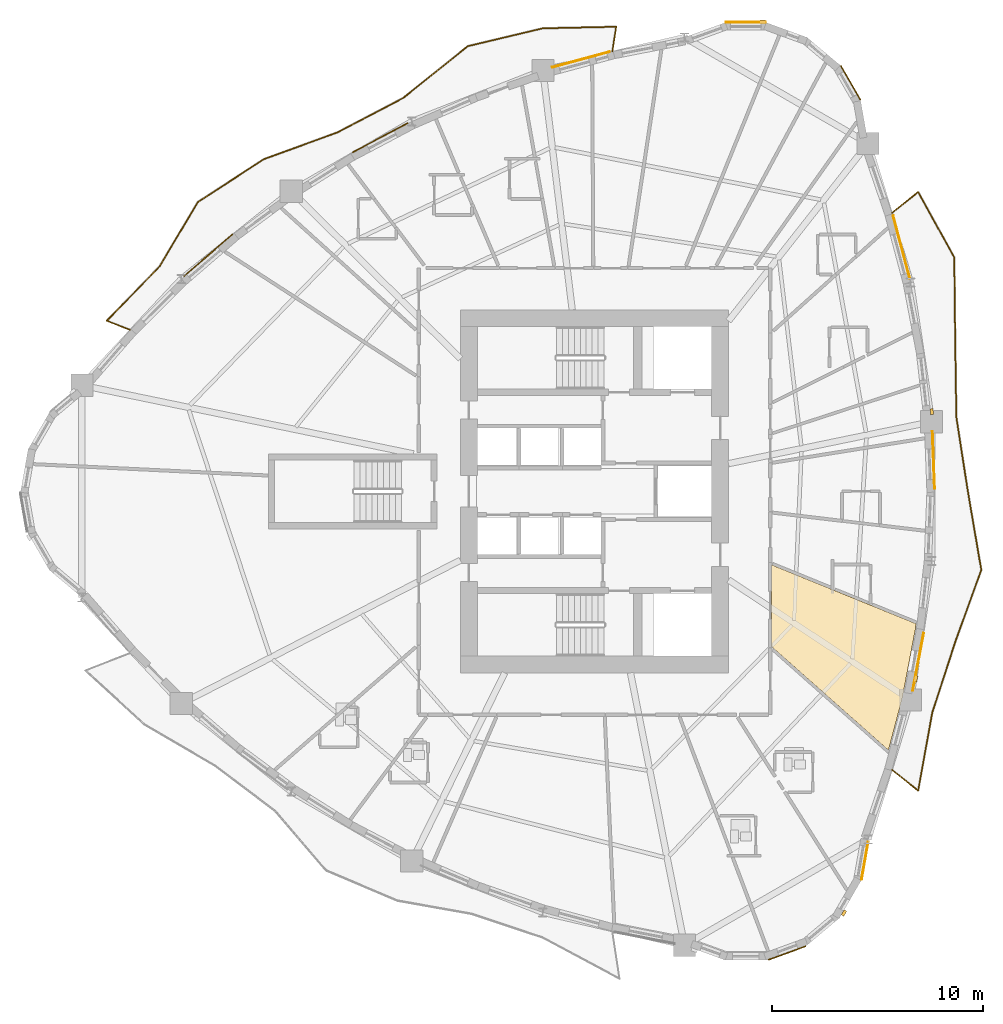
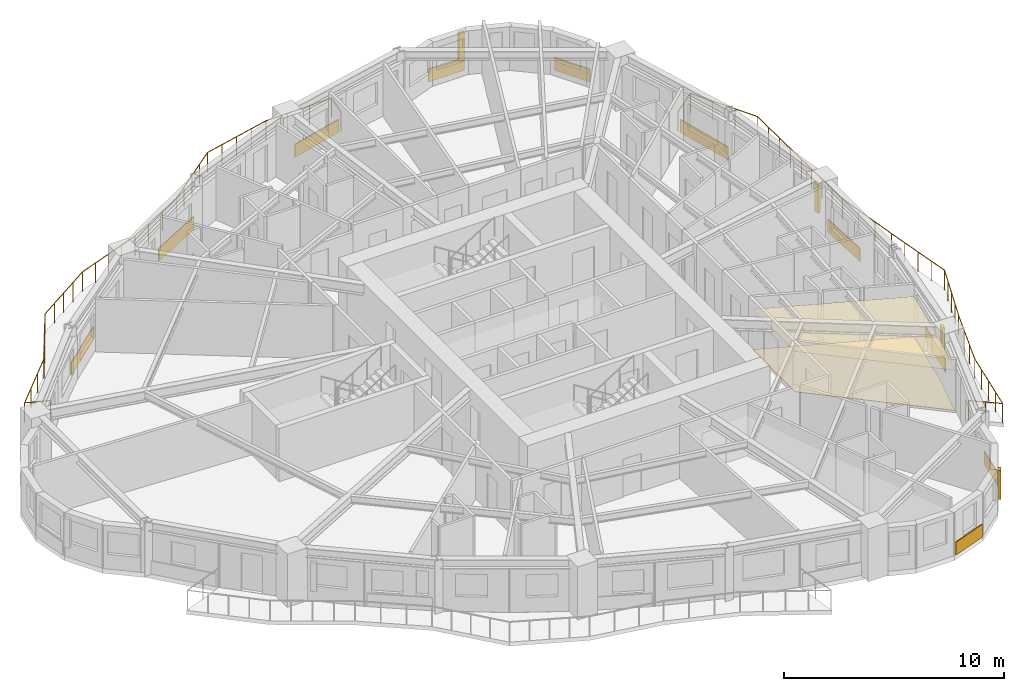
# One storey, part 13 of 14: 12 coverings, 4 shading devices, 2 railings.
"""IFC4 building model written with IfcOpenShell, lengths in metres."""

from ifc_helpers import new_model, si_unit, direction, frame, origin, origin_2d, place, context, subcontext, project, spatial, polyline, rectangle, circle, outline, extrude, source, transform, mapped, material, layer, layer_set, type_object, element, save


model = new_model("IFC4")

# Units and contexts
model_context = context("Model", 3, precision=1e-05, world=origin(), true_north=direction((0.0, 1.0)))
body_context = subcontext(model_context, "Body", "Model", "MODEL_VIEW")
ifc_project = project(units=[si_unit("LENGTHUNIT", "METRE"), si_unit("AREAUNIT", "SQUARE_METRE"), si_unit("VOLUMEUNIT", "CUBIC_METRE"), si_unit("PLANEANGLEUNIT", "RADIAN"), si_unit("MASSUNIT", "GRAM", prefix="KILO")], contexts=[model_context])

# Site, building, storey
site_placement = place(None, origin())
site = spatial("IfcSite", under=ifc_project, at=site_placement, CompositionType="ELEMENT")
building_placement = place(site_placement, origin())
building = spatial("IfcBuilding", under=site, at=building_placement, Name="Qafzar Sky-Pleat Residences", CompositionType="ELEMENT")
storey_placement = place(building_placement, frame((0.0, 0.0, 43.0)))
storey = spatial("IfcBuildingStorey", under=building, at=storey_placement, Name="L12", CompositionType="ELEMENT", Elevation=43.0)

# Coverings
ifc_material_1 = material(Name="Perforated acoustic gypsum board ceiling")
ifc_layer_1 = layer(ifc_material_1, 0.02001953125)
ifc_layer_set_1 = layer_set([ifc_layer_1], Name="Perforated acoustic gypsum board ceiling")
covering_type_1 = type_object("IfcCoveringType", Name="COV-CEIL-ACOUSTIC", PredefinedType="CEILING", material=ifc_layer_set_1)
covering_1_placement = place(storey_placement, frame((0.0, 0.0, 2.239990234375)))
element("IfcCovering", 1, at=covering_1_placement, inside=storey, type_object=covering_type_1, Name="L12 Communal Kitchen Acoustic Ceiling", PredefinedType="CEILING", context=body_context, shape_type="SweptSolid", body=[
    extrude(outline(polyline([(45.552734375, 19.46630859375), (44.931884765625, 16.197998046875), (44.277099609375, 13.736083984375), (38.739990234375, 18.643798828125), (38.739990234375, 22.517578125), (45.582763671875, 19.72998046875), (45.552734375, 19.46630859375)])), origin(), (0.0, 0.0, 1.0), 0.02001953125),
])
ifc_material_2 = material(Name="Honed porcelain and Riyadh stone tile flooring", Category="masonry")
ifc_layer_2 = layer(ifc_material_2, 0.02001953125)
ifc_layer_set_2 = layer_set([ifc_layer_2], Name="Honed porcelain and Riyadh stone tile flooring")
covering_type_2 = type_object("IfcCoveringType", Name="COV-FLR-PORCELAIN", PredefinedType="FLOORING", material=ifc_layer_set_2)
covering_2_placement = place(storey_placement, origin())
element("IfcCovering", 2, at=covering_2_placement, inside=storey, type_object=covering_type_2, Name="L12 Communal Kitchen Honed Stone Flooring", PredefinedType="FLOORING", context=body_context, shape_type="SweptSolid", body=[
    extrude(outline(polyline([(45.552734375, 19.46630859375), (44.931884765625, 16.197998046875), (44.277099609375, 13.736083984375), (38.739990234375, 18.643798828125), (38.739990234375, 22.517578125), (45.582763671875, 19.72998046875), (45.552734375, 19.46630859375)])), origin(), (0.0, 0.0, 1.0), 0.02001953125),
])

# Shading devices
ifc_material_3 = material(Name="Honed Riyadh limestone solar fin", Category="masonry")
ifc_layer_3 = layer(ifc_material_3, 0.139892578125)
ifc_layer_set_3 = layer_set([ifc_layer_3], Name="Honed Riyadh limestone solar fin")
shading_device_type = type_object("IfcShadingDeviceType", Name="SHD-FIN-STONE", PredefinedType="SHUTTER", material=ifc_layer_set_3)
shared_shape_1 = source(origin(), body_context, "Body", "SweptSolid", [
    extrude(rectangle(XDim=0.139892578125, YDim=0.280029296875, at=origin_2d()), origin(), (0.0, 0.0, 1.0), 1.60009765625),
])
for number, where, z_axis, x_axis, name in (
    (3, (42.171142578125, 6.02197265625, 0.599853515625), (0.0, 0.0, 1.0), (0.86604422228, -0.499967403994, 0.0), "L12 Limestone Solar Fin 21"),
    (4, (45.57958984375, 17.11572265625, 0.599853515625), (0.0, 0.0, 1.0), (0.982426090946, -0.186652018013, 0.0), "L12 Limestone Solar Fin 25"),
    (5, (46.33544921875, 29.773681640625, 0.599853515625), (0.0, 0.0, 1.0), (0.993566238116, 0.113252507596, 0.0), "L12 Limestone Solar Fin 29"),
    (6, (38.322509765625, 48.26171875, 0.599853515625), (0.0, 0.0, 1.0), (0.0, 1.0, 0.0), "L12 Limestone Solar Fin 37"),
):
    element("IfcShadingDevice", number, at=place(storey_placement, frame(where, z_axis=z_axis, x_axis=x_axis)), inside=storey, type_object=shading_device_type, Name=name, PredefinedType="SHUTTER", context=body_context, shape_type="MappedRepresentation", body=[
        mapped(shared_shape_1, transform((0.0, 0.0, 0.0), x_axis=(1.0, 0.0, 0.0), y_axis=(0.0, 1.0, 0.0), z_axis=(0.0, 0.0, 1.0), scale=1.0)),
    ])

# Coverings
ifc_material_4 = material(Name="Honed Riyadh Tuwaiq limestone cladding", Category="masonry")
ifc_layer_4 = layer(ifc_material_4, 0.044921875)
ifc_layer_set_4 = layer_set([ifc_layer_4], Name="Honed Riyadh Tuwaiq limestone cladding")
covering_type_3 = type_object("IfcCoveringType", Name="COV-CLAD-STONE", PredefinedType="CLADDING", material=ifc_layer_set_4)
shared_shape_2 = source(origin(), body_context, "Body", "SweptSolid", [
    extrude(rectangle(XDim=1.88134765625, YDim=0.044921875, at=origin_2d()), origin(), (0.0, 0.0, 1.0), 0.719970703125),
])
for number, where, z_axis, x_axis, name in (
    (7, (39.478515625, 4.127197265625, 0.02001953125), (0.0, 0.0, 1.0), (0.939678833387, 0.342058021518, 0.0), "L12 Riyadh Limestone Spandrel Cladding 19"),
    (8, (42.483154296875, 45.351806640625, 0.02001953125), (0.0, 0.0, 1.0), (-0.499972303345, 0.866041393865, 0.0), "L12 Riyadh Limestone Spandrel Cladding 34"),
    (9, (37.517578125, 48.21875, 0.02001953125), (0.0, 0.0, 1.0), (-1.0, 0.0, 0.0), "L12 Riyadh Limestone Spandrel Cladding 37"),
):
    element("IfcCovering", number, at=place(storey_placement, frame(where, z_axis=z_axis, x_axis=x_axis)), inside=storey, type_object=covering_type_3, Name=name, PredefinedType="CLADDING", context=body_context, shape_type="MappedRepresentation", body=[
        mapped(shared_shape_2, transform((0.0, 0.0, 0.0), x_axis=(1.0, 0.0, 0.0), y_axis=(0.0, 1.0, 0.0), z_axis=(0.0, 0.0, 1.0), scale=1.0)),
    ])
shared_shape_3 = source(origin(), body_context, "Body", "SweptSolid", [
    extrude(rectangle(XDim=1.8291015625, YDim=0.044921875, at=origin_2d()), origin(), (0.0, 0.0, 1.0), 0.719970703125),
])
covering_3_placement = place(storey_placement, frame((43.1591796875, 8.490966796875, 0.02001953125), z_axis=(0.0, 0.0, 1.0), x_axis=(0.17364778674, 0.984807821943, 0.0)))
element("IfcCovering", 10, at=covering_3_placement, inside=storey, type_object=covering_type_3, Name="L12 Riyadh Limestone Spandrel Cladding 22", PredefinedType="CLADDING", context=body_context, shape_type="MappedRepresentation", body=[
    mapped(shared_shape_3, transform((0.0, 0.0, 0.0), x_axis=(1.0, 0.0, 0.0), y_axis=(0.0, 1.0, 0.0), z_axis=(0.0, 0.0, 1.0), scale=1.0)),
])

# Railing
ifc_material_5 = material(Name="Laminated glass and bronze steel balustrade", Category="steel")
railing_type = type_object("IfcRailingType", Name="RAIL-BAL-1100", PredefinedType="BALUSTRADE", material=ifc_material_5)
shared_shape_4 = source(origin(), body_context, "Body", "SweptSolid", [
    extrude(circle(Radius=0.02392578125, at=origin_2d()), frame((0.0, 0.0, 1.076171875), z_axis=(0.151917016877, 0.988393251688, 0.0), x_axis=(-0.988393251688, 0.151917016877, 0.0)), (0.0, 0.0, 1.0), 1.177978515625),
    extrude(circle(Radius=0.02392578125, at=origin_2d()), frame((0.178955078125, 1.164306640625, 1.076171875), z_axis=(-0.99976715239, -0.021578716394, 0.0), x_axis=(0.021578716394, -0.99976715239, 0.0)), (0.0, 0.0, 1.0), 3.484619140625),
    extrude(circle(Radius=0.02392578125, at=origin_2d()), frame((-3.304931640625, 1.089111328125, 1.076171875), z_axis=(-0.972696245734, -0.232081911263, 0.0), x_axis=(0.232081911263, -0.972696245734, 0.0)), (0.0, 0.0, 1.0), 3.648193359375),
    extrude(circle(Radius=0.02392578125, at=origin_2d()), frame((-6.853515625, 0.242431640625, 1.076171875), z_axis=(-0.779956316978, -0.625833958495, 0.0), x_axis=(0.625833958495, -0.779956316978, 0.0)), (0.0, 0.0, 1.0), 3.9189453125),
    extrude(circle(Radius=0.02392578125, at=origin_2d()), frame((-9.91015625, -2.210205078125, 1.076171875), z_axis=(-0.88581111763, -0.464045971734, 0.0), x_axis=(0.464045971734, -0.88581111763, 0.0)), (0.0, 0.0, 1.0), 3.5107421875),
    extrude(circle(Radius=0.02392578125, at=origin_2d()), frame((-13.02001953125, -3.83935546875, 1.076171875), z_axis=(-0.939699130778, -0.342002256739, 0.0), x_axis=(0.342002256739, -0.939699130778, 0.0)), (0.0, 0.0, 1.0), 3.70556640625),
    extrude(circle(Radius=0.02392578125, at=origin_2d()), frame((-16.502197265625, -5.106689453125, 1.076171875), z_axis=(-0.839207102397, -0.543811952137, 0.0), x_axis=(0.543811952137, -0.839207102397, 0.0)), (0.0, 0.0, 1.0), 3.736572265625),
    extrude(circle(Radius=0.02392578125, at=origin_2d()), frame((-19.637939453125, -7.138671875, 1.076171875), z_axis=(-0.511359412882, -0.859366947734, 0.0), x_axis=(0.859366947734, -0.511359412882, 0.0)), (0.0, 0.0, 1.0), 3.552490234375),
    extrude(circle(Radius=0.02392578125, at=origin_2d()), frame((-21.45458984375, -10.191650390625, 1.076171875), z_axis=(-0.696103334982, -0.71794160419, 0.0), x_axis=(0.71794160419, -0.696103334982, 0.0)), (0.0, 0.0, 1.0), 3.588623046875),
    extrude(circle(Radius=0.02392578125, at=origin_2d()), frame((-23.95263671875, -12.76806640625, 1.076171875), z_axis=(0.931895714322, -0.362726312292, 0.0), x_axis=(0.362726312292, 0.931895714322, 0.0)), (0.0, 0.0, 1.0), 1.177978515625),
    extrude(circle(Radius=0.02099609375, at=origin_2d()), origin(), (0.0, 0.0, 1.0), 1.052001953125),
    extrude(circle(Radius=0.02099609375, at=origin_2d()), frame((0.178955078125, 1.164306640625, 0.0)), (0.0, 0.0, 1.0), 1.052001953125),
    extrude(circle(Radius=0.02099609375, at=origin_2d()), frame((-0.982421875, 1.13916015625, 0.0)), (0.0, 0.0, 1.0), 1.052001953125),
    extrude(circle(Radius=0.02099609375, at=origin_2d()), frame((-2.1435546875, 1.1142578125, 0.0)), (0.0, 0.0, 1.0), 1.052001953125),
    extrude(circle(Radius=0.02099609375, at=origin_2d()), frame((-3.304931640625, 1.089111328125, 0.0)), (0.0, 0.0, 1.0), 1.052001953125),
    extrude(circle(Radius=0.02099609375, at=origin_2d()), frame((-4.192138671875, 0.87744140625, 0.0)), (0.0, 0.0, 1.0), 1.052001953125),
    extrude(circle(Radius=0.02099609375, at=origin_2d()), frame((-5.0791015625, 0.665771484375, 0.0)), (0.0, 0.0, 1.0), 1.052001953125),
    extrude(circle(Radius=0.02099609375, at=origin_2d()), frame((-5.96630859375, 0.4541015625, 0.0)), (0.0, 0.0, 1.0), 1.052001953125),
    extrude(circle(Radius=0.02099609375, at=origin_2d()), frame((-6.853515625, 0.242431640625, 0.0)), (0.0, 0.0, 1.0), 1.052001953125),
    extrude(circle(Radius=0.02099609375, at=origin_2d()), frame((-7.61767578125, -0.37060546875, 0.0)), (0.0, 0.0, 1.0), 1.052001953125),
    extrude(circle(Radius=0.02099609375, at=origin_2d()), frame((-8.3818359375, -0.98388671875, 0.0)), (0.0, 0.0, 1.0), 1.052001953125),
    extrude(circle(Radius=0.02099609375, at=origin_2d()), frame((-9.14599609375, -1.59716796875, 0.0)), (0.0, 0.0, 1.0), 1.052001953125),
    extrude(circle(Radius=0.02099609375, at=origin_2d()), frame((-9.91015625, -2.210205078125, 0.0)), (0.0, 0.0, 1.0), 1.052001953125),
    extrude(circle(Radius=0.02099609375, at=origin_2d()), frame((-10.94677734375, -2.753173828125, 0.0)), (0.0, 0.0, 1.0), 1.052001953125),
    extrude(circle(Radius=0.02099609375, at=origin_2d()), frame((-11.9833984375, -3.29638671875, 0.0)), (0.0, 0.0, 1.0), 1.052001953125),
    extrude(circle(Radius=0.02099609375, at=origin_2d()), frame((-13.02001953125, -3.83935546875, 0.0)), (0.0, 0.0, 1.0), 1.052001953125),
    extrude(circle(Radius=0.02099609375, at=origin_2d()), frame((-13.890625, -4.15625, 0.0)), (0.0, 0.0, 1.0), 1.052001953125),
    extrude(circle(Radius=0.02099609375, at=origin_2d()), frame((-14.76123046875, -4.47314453125, 0.0)), (0.0, 0.0, 1.0), 1.052001953125),
    extrude(circle(Radius=0.02099609375, at=origin_2d()), frame((-15.631591796875, -4.789794921875, 0.0)), (0.0, 0.0, 1.0), 1.052001953125),
    extrude(circle(Radius=0.02099609375, at=origin_2d()), frame((-16.502197265625, -5.106689453125, 0.0)), (0.0, 0.0, 1.0), 1.052001953125),
    extrude(circle(Radius=0.02099609375, at=origin_2d()), frame((-17.2861328125, -5.61474609375, 0.0)), (0.0, 0.0, 1.0), 1.052001953125),
    extrude(circle(Radius=0.02099609375, at=origin_2d()), frame((-18.070068359375, -6.12255859375, 0.0)), (0.0, 0.0, 1.0), 1.052001953125),
    extrude(circle(Radius=0.02099609375, at=origin_2d()), frame((-18.85400390625, -6.630615234375, 0.0)), (0.0, 0.0, 1.0), 1.052001953125),
    extrude(circle(Radius=0.02099609375, at=origin_2d()), frame((-19.637939453125, -7.138671875, 0.0)), (0.0, 0.0, 1.0), 1.052001953125),
    extrude(circle(Radius=0.02099609375, at=origin_2d()), frame((-20.243408203125, -8.15625, 0.0)), (0.0, 0.0, 1.0), 1.052001953125),
    extrude(circle(Radius=0.02099609375, at=origin_2d()), frame((-20.84912109375, -9.174072265625, 0.0)), (0.0, 0.0, 1.0), 1.052001953125),
    extrude(circle(Radius=0.02099609375, at=origin_2d()), frame((-21.45458984375, -10.191650390625, 0.0)), (0.0, 0.0, 1.0), 1.052001953125),
    extrude(circle(Radius=0.02099609375, at=origin_2d()), frame((-22.287353515625, -11.050537109375, 0.0)), (0.0, 0.0, 1.0), 1.052001953125),
    extrude(circle(Radius=0.02099609375, at=origin_2d()), frame((-23.119873046875, -11.9091796875, 0.0)), (0.0, 0.0, 1.0), 1.052001953125),
    extrude(circle(Radius=0.02099609375, at=origin_2d()), frame((-23.95263671875, -12.76806640625, 0.0)), (0.0, 0.0, 1.0), 1.052001953125),
    extrude(circle(Radius=0.02099609375, at=origin_2d()), frame((-22.85498046875, -13.1953125, 0.0)), (0.0, 0.0, 1.0), 1.052001953125),
])
railing_1_placement = place(storey_placement, frame((31.2001953125, 46.84765625, 0.0)))
element("IfcRailing", 11, at=railing_1_placement, inside=storey, type_object=railing_type, Name="L12 Pleated Balcony 2 Balustrade", PredefinedType="BALUSTRADE", context=body_context, shape_type="MappedRepresentation", body=[
    mapped(shared_shape_4, transform((0.0, 0.0, 0.0), x_axis=(1.0, 0.0, 0.0), y_axis=(0.0, 1.0, 0.0), z_axis=(0.0, 0.0, 1.0), scale=1.0)),
])

# Coverings
shared_shape_5 = source(origin(), body_context, "Body", "SweptSolid", [
    extrude(rectangle(XDim=2.78466796875, YDim=0.044921875, at=origin_2d()), origin(), (0.0, 0.0, 1.0), 0.719970703125),
])
covering_4_placement = place(storey_placement, frame((45.6884765625, 17.91943359375, 0.02001953125), z_axis=(0.0, 0.0, 1.0), x_axis=(0.186653159083, 0.982425874153, 0.0)))
element("IfcCovering", 12, at=covering_4_placement, inside=storey, type_object=covering_type_3, Name="L12 Riyadh Limestone Spandrel Cladding 25", PredefinedType="CLADDING", context=body_context, shape_type="MappedRepresentation", body=[
    mapped(shared_shape_5, transform((0.0, 0.0, 0.0), x_axis=(1.0, 0.0, 0.0), y_axis=(0.0, 1.0, 0.0), z_axis=(0.0, 0.0, 1.0), scale=1.0)),
])
shared_shape_6 = source(origin(), body_context, "Body", "SweptSolid", [
    extrude(rectangle(XDim=2.733642578125, YDim=0.044921875, at=origin_2d()), origin(), (0.0, 0.0, 1.0), 0.719970703125),
])
covering_5_placement = place(storey_placement, frame((46.415283203125, 27.48046875, 0.02001953125), z_axis=(0.0, 0.0, 1.0), x_axis=(-0.037993107975, 0.999278001232, 0.0)))
element("IfcCovering", 13, at=covering_5_placement, inside=storey, type_object=covering_type_3, Name="L12 Riyadh Limestone Spandrel Cladding 28", PredefinedType="CLADDING", context=body_context, shape_type="MappedRepresentation", body=[
    mapped(shared_shape_6, transform((0.0, 0.0, 0.0), x_axis=(1.0, 0.0, 0.0), y_axis=(0.0, 1.0, 0.0), z_axis=(0.0, 0.0, 1.0), scale=1.0)),
])
shared_shape_7 = source(origin(), body_context, "Body", "SweptSolid", [
    extrude(rectangle(XDim=3.086669921875, YDim=0.044921875, at=origin_2d()), origin(), (0.0, 0.0, 1.0), 0.719970703125),
])
covering_6_placement = place(storey_placement, frame((44.8974609375, 37.572998046875, 0.02001953125), z_axis=(0.0, 0.0, 1.0), x_axis=(-0.257060075079, 0.966395425176, 0.0)))
element("IfcCovering", 14, at=covering_6_placement, inside=storey, type_object=covering_type_3, Name="L12 Riyadh Limestone Spandrel Cladding 31", PredefinedType="CLADDING", context=body_context, shape_type="MappedRepresentation", body=[
    mapped(shared_shape_7, transform((0.0, 0.0, 0.0), x_axis=(1.0, 0.0, 0.0), y_axis=(0.0, 1.0, 0.0), z_axis=(0.0, 0.0, 1.0), scale=1.0)),
])
shared_shape_8 = source(origin(), body_context, "Body", "SweptSolid", [
    extrude(rectangle(XDim=2.834716796875, YDim=0.044921875, at=origin_2d()), origin(), (0.0, 0.0, 1.0), 0.719970703125),
])
covering_7_placement = place(storey_placement, frame((29.708984375, 46.45654296875, 0.02001953125), z_axis=(0.0, 0.0, 1.0), x_axis=(-0.965456482184, -0.260564350993, 0.0)))
element("IfcCovering", 15, at=covering_7_placement, inside=storey, type_object=covering_type_3, Name="L12 Riyadh Limestone Spandrel Cladding 40", PredefinedType="CLADDING", context=body_context, shape_type="MappedRepresentation", body=[
    mapped(shared_shape_8, transform((0.0, 0.0, 0.0), x_axis=(1.0, 0.0, 0.0), y_axis=(0.0, 1.0, 0.0), z_axis=(0.0, 0.0, 1.0), scale=1.0)),
])
shared_shape_9 = source(origin(), body_context, "Body", "SweptSolid", [
    extrude(rectangle(XDim=2.985595703125, YDim=0.044921875, at=origin_2d()), origin(), (0.0, 0.0, 1.0), 0.719970703125),
])
covering_8_placement = place(storey_placement, frame((20.1982421875, 42.753662109375, 0.02001953125), z_axis=(0.0, 0.0, 1.0), x_axis=(-0.884384061538, -0.466759929404, 0.0)))
element("IfcCovering", 16, at=covering_8_placement, inside=storey, type_object=covering_type_3, Name="L12 Riyadh Limestone Spandrel Cladding 43", PredefinedType="CLADDING", context=body_context, shape_type="MappedRepresentation", body=[
    mapped(shared_shape_9, transform((0.0, 0.0, 0.0), x_axis=(1.0, 0.0, 0.0), y_axis=(0.0, 1.0, 0.0), z_axis=(0.0, 0.0, 1.0), scale=1.0)),
])
shared_shape_10 = source(origin(), body_context, "Body", "SweptSolid", [
    extrude(rectangle(XDim=3.03662109375, YDim=0.044921875, at=origin_2d()), origin(), (0.0, 0.0, 1.0), 0.719970703125),
])
covering_9_placement = place(storey_placement, frame((12.0517578125, 37.18701171875, 0.02001953125), z_axis=(0.0, 0.0, 1.0), x_axis=(-0.757481729297, -0.652856362289, 0.0)))
element("IfcCovering", 17, at=covering_9_placement, inside=storey, type_object=covering_type_3, Name="L12 Riyadh Limestone Spandrel Cladding 46", PredefinedType="CLADDING", context=body_context, shape_type="MappedRepresentation", body=[
    mapped(shared_shape_10, transform((0.0, 0.0, 0.0), x_axis=(1.0, 0.0, 0.0), y_axis=(0.0, 1.0, 0.0), z_axis=(0.0, 0.0, 1.0), scale=1.0)),
])

# Railing
shared_shape_11 = source(origin(), body_context, "Body", "SweptSolid", [
    extrude(circle(Radius=0.02392578125, at=origin_2d()), frame((0.0, 0.0, 1.076171875), z_axis=(0.780083287134, -0.625675686865, 0.0), x_axis=(0.625675686865, 0.780083287134, 0.0)), (0.0, 0.0, 1.0), 1.577880859375),
    extrude(circle(Radius=0.02392578125, at=origin_2d()), frame((1.23095703125, -0.9873046875, 1.076171875), z_axis=(0.178085810184, 0.984014961376, 0.0), x_axis=(-0.984014961376, 0.178085810184, 0.0)), (0.0, 0.0, 1.0), 3.76171875),
    extrude(circle(Radius=0.02392578125, at=origin_2d()), frame((1.90087890625, 2.71435546875, 1.076171875), z_axis=(0.30916783486, 0.951007492025, 0.0), x_axis=(-0.951007492025, 0.30916783486, 0.0)), (0.0, 0.0, 1.0), 3.510986328125),
    extrude(circle(Radius=0.02392578125, at=origin_2d()), frame((2.986328125, 6.05322265625, 1.076171875), z_axis=(0.339624675378, 0.940561045267, 0.0), x_axis=(-0.940561045267, 0.339624675378, 0.0)), (0.0, 0.0, 1.0), 3.63818359375),
    extrude(circle(Radius=0.02392578125, at=origin_2d()), frame((4.221923828125, 9.47509765625, 1.076171875), z_axis=(-0.168760936197, 0.985657012563, 0.0), x_axis=(-0.985657012563, -0.168760936197, 0.0)), (0.0, 0.0, 1.0), 3.7744140625),
    extrude(circle(Radius=0.02392578125, at=origin_2d()), frame((3.5849609375, 13.1953125, 1.076171875), z_axis=(-0.153302592165, 0.988179293061, 0.0), x_axis=(-0.988179293061, -0.153302592165, 0.0)), (0.0, 0.0, 1.0), 3.5498046875),
    extrude(circle(Radius=0.02392578125, at=origin_2d()), frame((3.040771484375, 16.703125, 1.076171875), z_axis=(-0.014978837957, 0.999887810914, 0.0), x_axis=(-0.999887810914, -0.014978837957, 0.0)), (0.0, 0.0, 1.0), 3.634765625),
    extrude(circle(Radius=0.02392578125, at=origin_2d()), frame((2.986328125, 20.33740234375, 1.076171875), z_axis=(-0.010984256303, 0.999939671237, 0.0), x_axis=(-0.999939671237, -0.010984256303, 0.0)), (0.0, 0.0, 1.0), 3.93408203125),
    extrude(circle(Radius=0.02392578125, at=origin_2d()), frame((2.943115234375, 24.271240234375, 1.076171875), z_axis=(-0.482671554525, 0.875801444651, 0.0), x_axis=(-0.875801444651, -0.482671554525, 0.0)), (0.0, 0.0, 1.0), 3.54736328125),
    extrude(circle(Radius=0.02392578125, at=origin_2d()), frame((1.23095703125, 27.3779296875, 1.076171875), z_axis=(-0.780083287134, -0.625675686865, 0.0), x_axis=(0.625675686865, -0.780083287134, 0.0)), (0.0, 0.0, 1.0), 1.577880859375),
    extrude(circle(Radius=0.02099609375, at=origin_2d()), origin(), (0.0, 0.0, 1.0), 1.052001953125),
    extrude(circle(Radius=0.02099609375, at=origin_2d()), frame((0.615478515625, -0.49365234375, 0.0)), (0.0, 0.0, 1.0), 1.052001953125),
    extrude(circle(Radius=0.02099609375, at=origin_2d()), frame((1.23095703125, -0.9873046875, 0.0)), (0.0, 0.0, 1.0), 1.052001953125),
    extrude(circle(Radius=0.02099609375, at=origin_2d()), frame((1.3984375, -0.06201171875, 0.0)), (0.0, 0.0, 1.0), 1.052001953125),
    extrude(circle(Radius=0.02099609375, at=origin_2d()), frame((1.56591796875, 0.863525390625, 0.0)), (0.0, 0.0, 1.0), 1.052001953125),
    extrude(circle(Radius=0.02099609375, at=origin_2d()), frame((1.7333984375, 1.7890625, 0.0)), (0.0, 0.0, 1.0), 1.052001953125),
    extrude(circle(Radius=0.02099609375, at=origin_2d()), frame((1.90087890625, 2.71435546875, 0.0)), (0.0, 0.0, 1.0), 1.052001953125),
    extrude(circle(Radius=0.02099609375, at=origin_2d()), frame((2.2626953125, 3.827392578125, 0.0)), (0.0, 0.0, 1.0), 1.052001953125),
    extrude(circle(Radius=0.02099609375, at=origin_2d()), frame((2.62451171875, 4.940185546875, 0.0)), (0.0, 0.0, 1.0), 1.052001953125),
    extrude(circle(Radius=0.02099609375, at=origin_2d()), frame((2.986328125, 6.05322265625, 0.0)), (0.0, 0.0, 1.0), 1.052001953125),
    extrude(circle(Radius=0.02099609375, at=origin_2d()), frame((3.295166015625, 6.90869140625, 0.0)), (0.0, 0.0, 1.0), 1.052001953125),
    extrude(circle(Radius=0.02099609375, at=origin_2d()), frame((3.60400390625, 7.76416015625, 0.0)), (0.0, 0.0, 1.0), 1.052001953125),
    extrude(circle(Radius=0.02099609375, at=origin_2d()), frame((3.9130859375, 8.61962890625, 0.0)), (0.0, 0.0, 1.0), 1.052001953125),
    extrude(circle(Radius=0.02099609375, at=origin_2d()), frame((4.221923828125, 9.47509765625, 0.0)), (0.0, 0.0, 1.0), 1.052001953125),
    extrude(circle(Radius=0.02099609375, at=origin_2d()), frame((4.062744140625, 10.4052734375, 0.0)), (0.0, 0.0, 1.0), 1.052001953125),
    extrude(circle(Radius=0.02099609375, at=origin_2d()), frame((3.9033203125, 11.335205078125, 0.0)), (0.0, 0.0, 1.0), 1.052001953125),
    extrude(circle(Radius=0.02099609375, at=origin_2d()), frame((3.744140625, 12.26513671875, 0.0)), (0.0, 0.0, 1.0), 1.052001953125),
    extrude(circle(Radius=0.02099609375, at=origin_2d()), frame((3.5849609375, 13.1953125, 0.0)), (0.0, 0.0, 1.0), 1.052001953125),
    extrude(circle(Radius=0.02099609375, at=origin_2d()), frame((3.403564453125, 14.364501953125, 0.0)), (0.0, 0.0, 1.0), 1.052001953125),
    extrude(circle(Radius=0.02099609375, at=origin_2d()), frame((3.22216796875, 15.533935546875, 0.0)), (0.0, 0.0, 1.0), 1.052001953125),
    extrude(circle(Radius=0.02099609375, at=origin_2d()), frame((3.040771484375, 16.703125, 0.0)), (0.0, 0.0, 1.0), 1.052001953125),
    extrude(circle(Radius=0.02099609375, at=origin_2d()), frame((3.027099609375, 17.61181640625, 0.0)), (0.0, 0.0, 1.0), 1.052001953125),
    extrude(circle(Radius=0.02099609375, at=origin_2d()), frame((3.013671875, 18.520263671875, 0.0)), (0.0, 0.0, 1.0), 1.052001953125),
    extrude(circle(Radius=0.02099609375, at=origin_2d()), frame((3.0, 19.4287109375, 0.0)), (0.0, 0.0, 1.0), 1.052001953125),
    extrude(circle(Radius=0.02099609375, at=origin_2d()), frame((2.986328125, 20.33740234375, 0.0)), (0.0, 0.0, 1.0), 1.052001953125),
    extrude(circle(Radius=0.02099609375, at=origin_2d()), frame((2.9755859375, 21.32080078125, 0.0)), (0.0, 0.0, 1.0), 1.052001953125),
    extrude(circle(Radius=0.02099609375, at=origin_2d()), frame((2.96484375, 22.30419921875, 0.0)), (0.0, 0.0, 1.0), 1.052001953125),
    extrude(circle(Radius=0.02099609375, at=origin_2d()), frame((2.953857421875, 23.287841796875, 0.0)), (0.0, 0.0, 1.0), 1.052001953125),
    extrude(circle(Radius=0.02099609375, at=origin_2d()), frame((2.943115234375, 24.271240234375, 0.0)), (0.0, 0.0, 1.0), 1.052001953125),
    extrude(circle(Radius=0.02099609375, at=origin_2d()), frame((2.372314453125, 25.306884765625, 0.0)), (0.0, 0.0, 1.0), 1.052001953125),
    extrude(circle(Radius=0.02099609375, at=origin_2d()), frame((1.8017578125, 26.34228515625, 0.0)), (0.0, 0.0, 1.0), 1.052001953125),
    extrude(circle(Radius=0.02099609375, at=origin_2d()), frame((1.23095703125, 27.3779296875, 0.0)), (0.0, 0.0, 1.0), 1.052001953125),
    extrude(circle(Radius=0.02099609375, at=origin_2d()), frame((0.615478515625, 26.88427734375, 0.0)), (0.0, 0.0, 1.0), 1.052001953125),
    extrude(circle(Radius=0.02099609375, at=origin_2d()), frame((0.0, 26.390625, 0.0)), (0.0, 0.0, 1.0), 1.052001953125),
])
railing_2_placement = place(storey_placement, frame((44.45458984375, 12.8046875, 0.0)))
element("IfcRailing", 18, at=railing_2_placement, inside=storey, type_object=railing_type, Name="L12 Pleated Balcony 1 Balustrade", PredefinedType="BALUSTRADE", context=body_context, shape_type="MappedRepresentation", body=[
    mapped(shared_shape_11, transform((0.0, 0.0, 0.0), x_axis=(1.0, 0.0, 0.0), y_axis=(0.0, 1.0, 0.0), z_axis=(0.0, 0.0, 1.0), scale=1.0)),
])

save(model, "model.ifc")
